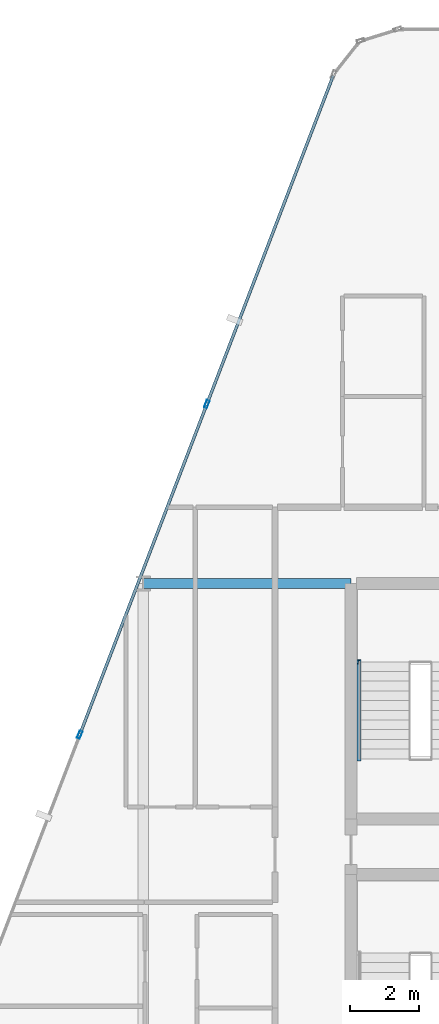
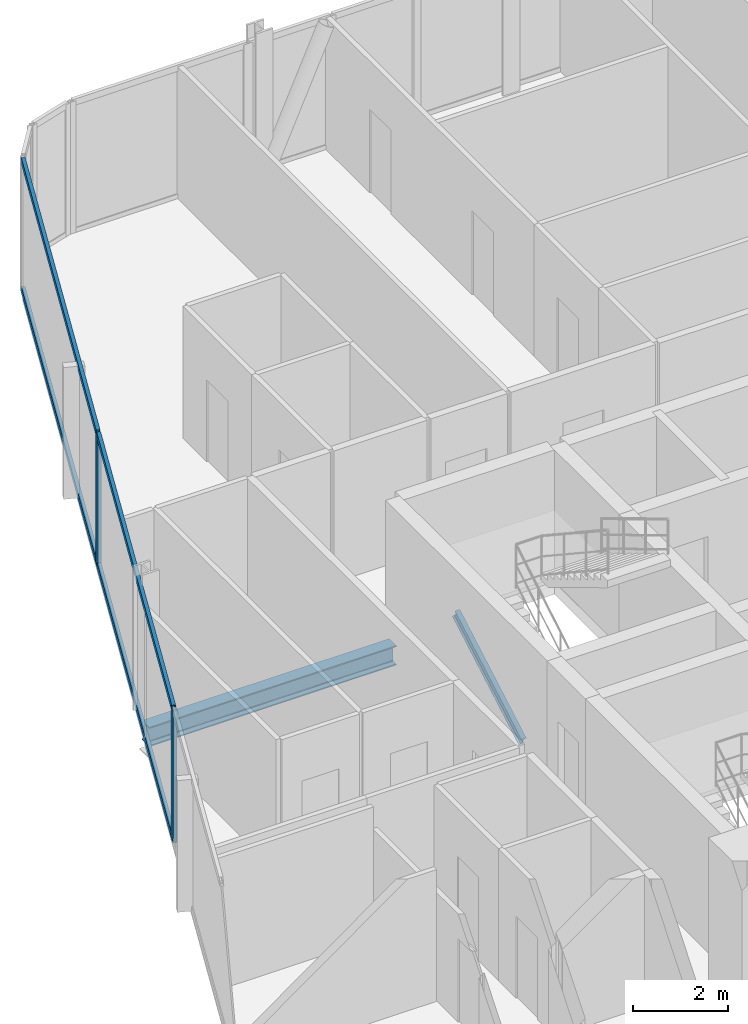
# One storey, part 11 of 35: 7 members, 1 beam, 1 element without a shape of its own.
"""IFC4 building model written with IfcOpenShell, lengths in metres."""

import ifcopenshell
import ifcopenshell.guid

model = None  # the IFC model being written
_history = None  # IfcOwnerHistory: only IFC2X3 demands one
_inside = {}  # id of a spatial element -> (the spatial element, [elements in it])
_under = {}  # id of a project, library or spatial element -> (it, [spatial elements below it])
_declared = {}  # id of a project -> (the project, [libraries it declares])
_typed = {}  # id of a type object -> (the type object, [elements of that type])
_made_of = {}  # id of a material, layer set ... -> (it, [elements and type objects made of it])


def new_model(schema):
    """Start an empty IFC model of exactly this schema.

    Asked for "IFC4X3", IfcOpenShell would pick the latest addendum, in which some entities
    have other attributes; the version numbers below select the first issue.
    IFC2X3 requires an IfcOwnerHistory on every rooted entity: one is made here for all.
    """
    global model, _history
    if schema == "IFC4X3":
        model = ifcopenshell.file(schema_version=(4, 3, 0, 0))
    else:
        model = ifcopenshell.file(schema=schema)
    _inside.clear()
    _under.clear()
    _declared.clear()
    _typed.clear()
    _made_of.clear()
    _history = None
    if model.schema == "IFC2X3":
        org = make("IfcOrganization", Name="unknown")
        user = make(
            "IfcPersonAndOrganization",
            ThePerson=make("IfcPerson", FamilyName="unknown"),
            TheOrganization=org,
        )
        app = make(
            "IfcApplication",
            ApplicationDeveloper=org,
            Version="unknown",
            ApplicationFullName="unknown",
            ApplicationIdentifier="unknown",
        )
        _history = make(
            "IfcOwnerHistory",
            OwningUser=user,
            OwningApplication=app,
            ChangeAction="ADDED",
            CreationDate=0,
        )
    return model


def make(cls, **values):
    """One entity of the class cls with the attributes given. An attribute that is None is left unset."""
    return model.create_entity(
        cls, **{name: value for name, value in values.items() if value is not None}
    )


def rooted(cls, **values):
    """An entity with a GlobalId (a new one), such as an element, a storey or a relation."""
    return make(cls, GlobalId=ifcopenshell.guid.new(), OwnerHistory=_history, **values)


def si_unit(unit_type, name, prefix=None):
    """IfcSIUnit, for example si_unit("LENGTHUNIT", "METRE", prefix="MILLI")."""
    return make("IfcSIUnit", UnitType=unit_type, Prefix=prefix, Name=name)


def assignment(units):
    """IfcUnitAssignment: the units of a project."""
    return None if units is None else make("IfcUnitAssignment", Units=units)


def point(xyz):
    """IfcCartesianPoint."""
    return None if xyz is None else make("IfcCartesianPoint", Coordinates=xyz)


def direction(xyz):
    """IfcDirection."""
    return None if xyz is None else make("IfcDirection", DirectionRatios=xyz)


def frame(location, z_axis=None, x_axis=None):
    """IfcAxis2Placement3D, a coordinate frame: its origin and axes. An axis left out is left unset."""
    return make(
        "IfcAxis2Placement3D",
        Location=point(location),
        Axis=direction(z_axis),
        RefDirection=direction(x_axis),
    )


def frame_2d(location, x_axis=None):
    """IfcAxis2Placement2D, a coordinate frame in the plane: its origin and x axis."""
    return make(
        "IfcAxis2Placement2D", Location=point(location), RefDirection=direction(x_axis)
    )


def origin():
    """The frame at (0, 0, 0) with its axes left unset."""
    return frame((0.0, 0.0, 0.0))


def origin_2d():
    """The frame at (0, 0) in the plane with its x axis left unset."""
    return frame_2d((0.0, 0.0))


def place(relative_to, where):
    """IfcLocalPlacement: puts the frame where relative to a parent placement (None: the world)."""
    return make(
        "IfcLocalPlacement", PlacementRelTo=relative_to, RelativePlacement=where
    )


def context(
    kind, dimensions, precision=None, world=None, true_north=None, identifier=None
):
    """IfcGeometricRepresentationContext, for example the 3D "Model" context."""
    return make(
        "IfcGeometricRepresentationContext",
        ContextIdentifier=identifier,
        ContextType=kind,
        CoordinateSpaceDimension=dimensions,
        Precision=precision,
        WorldCoordinateSystem=world,
        TrueNorth=true_north,
    )


def subcontext(parent, identifier, kind, view, scale=None):
    """IfcGeometricRepresentationSubContext, for example "Body" below "Model"."""
    return make(
        "IfcGeometricRepresentationSubContext",
        ContextIdentifier=identifier,
        ContextType=kind,
        ParentContext=parent,
        TargetScale=scale,
        TargetView=view,
    )


def project(units=None, contexts=None):
    """IfcProject with its units and contexts."""
    return rooted(
        "IfcProject",
        Name="project",
        RepresentationContexts=contexts,
        UnitsInContext=assignment(units),
    )


def spatial(cls, under=None, at=None, **own):
    """A site, building, storey or space (cls), placed at a placement, below another one or the project."""
    s = rooted(cls, ObjectPlacement=at, **own)
    if under is not None:
        _under.setdefault(under.id(), (under, []))[1].append(s)
    return s


def profile(cls, at=None, kind="AREA", **sizes):
    """A parametric profile (cls). Its sizes go by their IFC names, for example OverallWidth=200.0."""
    return make(cls, ProfileType=kind, Position=at, **sizes)


def hollow_rectangle(**sizes):
    """IfcRectangleHollowProfileDef."""
    return profile("IfcRectangleHollowProfileDef", **sizes)


def i_section(**sizes):
    """IfcIShapeProfileDef."""
    return profile("IfcIShapeProfileDef", **sizes)


def extrude(swept, where, along, depth):
    """IfcExtrudedAreaSolid: the profile swept, set in the frame where, extruded along a direction by depth."""
    return make(
        "IfcExtrudedAreaSolid",
        SweptArea=swept,
        Position=where,
        ExtrudedDirection=direction(along),
        Depth=depth,
    )


def shape(context_of_items, identifier, shape_type, items):
    """IfcShapeRepresentation: the items that make up one representation, for example the "Body"."""
    return make(
        "IfcShapeRepresentation",
        ContextOfItems=context_of_items,
        RepresentationIdentifier=identifier,
        RepresentationType=shape_type,
        Items=items,
    )


def material(Name=None, Category=None):
    """IfcMaterial."""
    return make("IfcMaterial", Name=Name, Category=Category)


def layer(
    of_material, thickness, ventilated=None, Name=None, Category=None, Priority=None
):
    """IfcMaterialLayer: one layer of a wall or slab, of a material (None: an air gap)."""
    return make(
        "IfcMaterialLayer",
        Material=of_material,
        LayerThickness=thickness,
        IsVentilated=ventilated,
        Name=Name,
        Category=Category,
        Priority=Priority,
    )


def layer_set(layers, Name=None):
    """IfcMaterialLayerSet."""
    return make("IfcMaterialLayerSet", MaterialLayers=layers, LayerSetName=Name)


def material_profile(
    of_material, cross_section, Name=None, Category=None, Priority=None
):
    """IfcMaterialProfile: a cross section and its material."""
    return make(
        "IfcMaterialProfile",
        Name=Name,
        Material=of_material,
        Profile=cross_section,
        Priority=Priority,
        Category=Category,
    )


def profile_set(profiles, Name=None, composite=None):
    """IfcMaterialProfileSet."""
    return make(
        "IfcMaterialProfileSet",
        Name=Name,
        MaterialProfiles=profiles,
        CompositeProfile=composite,
    )


def made_of(thing, what):
    """Note that an element or type object is made of a material, layer set ...; save() writes the relation."""
    if what is not None:
        _made_of.setdefault(what.id(), (what, []))[1].append(thing)
    return thing


def type_object(cls, material=None, **own):
    """A type object (cls), such as IfcWallType, which elements share."""
    return made_of(rooted(cls, **own), material)


def element(
    cls,
    number,
    at=None,
    inside=None,
    cuts=None,
    type_object=None,
    material=None,
    context=None,
    identifier="Body",
    shape_type=None,
    held_by="IfcProductDefinitionShape",
    body=None,
    shapes=None,
    **own,
):
    """One element of the class cls, such as IfcWall. Its Tag is "e" and its number.

    at: its placement. inside: the storey or other place that contains it. cuts: it is an
    opening in that element (IfcRelVoidsElement). A single representation is given by context,
    identifier, shape_type and body (its items); several are given by shapes. held_by: the class
    of the entity that holds the representations. save() writes the other relations.
    """
    e = rooted(cls, Tag="e%d" % number, ObjectPlacement=at, **own)
    if body is not None:
        shapes = [shape(context, identifier, shape_type, body)]
    if shapes is not None:
        e.Representation = make(held_by, Representations=shapes)
    if inside is not None:
        _inside.setdefault(inside.id(), (inside, []))[1].append(e)
    if cuts is not None:
        rooted(
            "IfcRelVoidsElement", RelatingBuildingElement=cuts, RelatedOpeningElement=e
        )
    if type_object is not None:
        _typed.setdefault(type_object.id(), (type_object, []))[1].append(e)
    return made_of(e, material)


def aggregate(whole, parts):
    """IfcRelAggregates: a whole, such as a stair, and the parts it consists of."""
    return rooted("IfcRelAggregates", RelatingObject=whole, RelatedObjects=parts)


def save(model, path):
    """Write the relations noted so far, then the file.

    IfcRelAggregates (storeys below a building ...), IfcRelContainedInSpatialStructure (elements
    in a storey), IfcRelDefinesByType, IfcRelAssociatesMaterial and IfcRelDeclares: one each for
    every whole, place, type object, material and project.
    """
    for whole, parts in _under.values():
        aggregate(whole, parts)
    for where, things in _inside.values():
        rooted(
            "IfcRelContainedInSpatialStructure",
            RelatedElements=things,
            RelatingStructure=where,
        )
    for kind, things in _typed.values():
        rooted("IfcRelDefinesByType", RelatedObjects=things, RelatingType=kind)
    for what, things in _made_of.values():
        rooted("IfcRelAssociatesMaterial", RelatedObjects=things, RelatingMaterial=what)
    for by, libraries in _declared.values():
        rooted("IfcRelDeclares", RelatingContext=by, RelatedDefinitions=libraries)
    model.write(path)


model = new_model("IFC4")

# Units and contexts
model_context = context("Model", 3, precision=1e-05, world=origin(), true_north=direction((0.0, 1.0)))
body_context = subcontext(model_context, "Body", "Model", "MODEL_VIEW")
ifc_project = project(units=[si_unit("LENGTHUNIT", "METRE"), si_unit("AREAUNIT", "SQUARE_METRE"), si_unit("VOLUMEUNIT", "CUBIC_METRE"), si_unit("PLANEANGLEUNIT", "RADIAN"), si_unit("MASSUNIT", "GRAM", prefix="KILO")], contexts=[model_context])

# Site, building, storey
site_placement = place(None, origin())
site = spatial("IfcSite", under=ifc_project, at=site_placement, CompositionType="ELEMENT")
building_placement = place(site_placement, origin())
building = spatial("IfcBuilding", under=site, at=building_placement, Name="Keshet Zoharim Tower", CompositionType="ELEMENT")
storey_placement = place(building_placement, frame((0.0, 0.0, 24.0)))
storey = spatial("IfcBuildingStorey", under=building, at=storey_placement, Name="L04", CompositionType="ELEMENT", Elevation=24.0)

# Beam
ifc_material_1 = material(Name="Steel S355", Category="steel")
ifc_material_profile_1 = material_profile(ifc_material_1, i_section(OverallWidth=0.300048828125, OverallDepth=0.5, WebThickness=0.014404296875, FlangeThickness=0.028076171875, FilletRadius=0.027099609375, at=origin_2d()), Name="HEB500")
ifc_profile_set_1 = profile_set([ifc_material_profile_1], Name="Steel S355")
beam_type = type_object("IfcBeamType", Name="BM-WEB-HB500", PredefinedType="BEAM", material=ifc_profile_set_1)
beam_placement = place(storey_placement, frame((9.0, 37.89990234375, -0.56494140625), z_axis=(1.0, 0.0, 0.0), x_axis=(0.0, 1.0, 0.0)))
element("IfcBeam", 1, at=beam_placement, inside=storey, type_object=beam_type, Name="L04 Primary Girder X-028", PredefinedType="BEAM", context=body_context, shape_type="SweptSolid", body=[
    extrude(i_section(OverallWidth=0.300048828125, OverallDepth=0.5, WebThickness=0.014404296875, FlangeThickness=0.028076171875, FilletRadius=0.027099609375, at=origin_2d()), origin(), (0.0, 0.0, 1.0), 6.0),
])

# Curtain wall, members
ifc_material_2 = material(Name="Aluminium 6063-T6", Category="aluminium")
ifc_layer = layer(ifc_material_2, 0.179931640625)
ifc_layer_set = layer_set([ifc_layer], Name="Aluminium 6063-T6")
curtain_wall_type = type_object("IfcCurtainWallType", Name="CW-SYS-01", PredefinedType="NOTDEFINED", material=ifc_layer_set)
curtain_wall_placement = place(storey_placement, origin())
curtain_wall = element("IfcCurtainWall", 2, at=curtain_wall_placement, inside=storey, type_object=curtain_wall_type, Name="L04 Unitised Curtain Wall 04", PredefinedType="NOTDEFINED")
ifc_material_profile_2 = material_profile(ifc_material_2, hollow_rectangle(XDim=0.090087890625, YDim=0.219970703125, WallThickness=0.0048828125, at=origin_2d()), Name="MUL-90x220")
ifc_profile_set_2 = profile_set([ifc_material_profile_2], Name="Aluminium 6063-T6")
member_type_1 = type_object("IfcMemberType", Name="CWM-M22", PredefinedType="MULLION", material=ifc_profile_set_2)
member_1_placement = place(storey_placement, frame((7.1669921875, 33.53466796875, 0.0), z_axis=(0.0, 0.0, 1.0), x_axis=(-0.933341404361, 0.358990003907, 0.0)))
member_1 = element("IfcMember", 3, at=member_1_placement, type_object=member_type_1, Name="CW-01 mullion 2", PredefinedType="MULLION", context=body_context, shape_type="SweptSolid", body=[
    extrude(hollow_rectangle(XDim=0.090087890625, YDim=0.219970703125, WallThickness=0.0048828125, at=origin_2d()), origin(), (0.0, 0.0, 1.0), 3.385009765625),
])
member_2_placement = place(storey_placement, frame((10.8369140625, 43.076416015625, 0.0), z_axis=(0.0, 0.0, 1.0), x_axis=(-0.933341404361, 0.358990003907, 0.0)))
member_2 = element("IfcMember", 4, at=member_2_placement, type_object=member_type_1, Name="CW-01 mullion 3", PredefinedType="MULLION", context=body_context, shape_type="SweptSolid", body=[
    extrude(hollow_rectangle(XDim=0.090087890625, YDim=0.219970703125, WallThickness=0.0048828125, at=origin_2d()), origin(), (0.0, 0.0, 1.0), 3.385009765625),
])
ifc_material_profile_3 = material_profile(ifc_material_2, hollow_rectangle(XDim=0.0849609375, YDim=0.159912109375, WallThickness=0.00439453125, at=origin_2d()), Name="TRN-85x160")
ifc_profile_set_3 = profile_set([ifc_material_profile_3], Name="Aluminium 6063-T6")
member_type_2 = type_object("IfcMemberType", Name="CWT-T16", PredefinedType="USERDEFINED", material=ifc_profile_set_3)
member_3_placement = place(storey_placement, frame((7.179443359375, 33.5673828125, 0.034912109375), z_axis=(0.359003248899, 0.933336309848, 0.0), x_axis=(-0.933336309848, 0.359003248899, 0.0)))
member_3 = element("IfcMember", 5, at=member_3_placement, type_object=member_type_2, Name="CW-01 transom 2.1", ObjectType="TRANSOM", PredefinedType="USERDEFINED", context=body_context, shape_type="SweptSolid", body=[
    extrude(hollow_rectangle(XDim=0.0849609375, YDim=0.159912109375, WallThickness=0.00439453125, at=origin_2d()), origin(), (0.0, 0.0, 1.0), 10.153076171875),
])
member_4_placement = place(storey_placement, frame((7.179443359375, 33.5673828125, 3.35009765625), z_axis=(0.359003248899, 0.933336309848, 0.0), x_axis=(-0.933336309848, 0.359003248899, 0.0)))
member_4 = element("IfcMember", 6, at=member_4_placement, type_object=member_type_2, Name="CW-01 transom 2.2", ObjectType="TRANSOM", PredefinedType="USERDEFINED", context=body_context, shape_type="SweptSolid", body=[
    extrude(hollow_rectangle(XDim=0.0849609375, YDim=0.159912109375, WallThickness=0.00439453125, at=origin_2d()), origin(), (0.0, 0.0, 1.0), 10.153076171875),
])
member_5_placement = place(storey_placement, frame((10.849609375, 43.10888671875, 0.034912109375), z_axis=(0.358985546764, 0.933343118694, 0.0), x_axis=(-0.933343118694, 0.358985546764, 0.0)))
member_5 = element("IfcMember", 7, at=member_5_placement, type_object=member_type_2, Name="CW-01 transom 3.1", ObjectType="TRANSOM", PredefinedType="USERDEFINED", context=body_context, shape_type="SweptSolid", body=[
    extrude(hollow_rectangle(XDim=0.0849609375, YDim=0.159912109375, WallThickness=0.00439453125, at=origin_2d()), origin(), (0.0, 0.0, 1.0), 10.118408203125),
])
member_6_placement = place(storey_placement, frame((10.849609375, 43.10888671875, 3.35009765625), z_axis=(0.358985546764, 0.933343118694, 0.0), x_axis=(-0.933343118694, 0.358985546764, 0.0)))
member_6 = element("IfcMember", 8, at=member_6_placement, type_object=member_type_2, Name="CW-01 transom 3.2", ObjectType="TRANSOM", PredefinedType="USERDEFINED", context=body_context, shape_type="SweptSolid", body=[
    extrude(hollow_rectangle(XDim=0.0849609375, YDim=0.159912109375, WallThickness=0.00439453125, at=origin_2d()), origin(), (0.0, 0.0, 1.0), 10.118408203125),
])
aggregate(curtain_wall, [member_1, member_2, member_3, member_4, member_5, member_6])

# Member
ifc_material_profile_4 = material_profile(ifc_material_1, i_section(OverallWidth=0.1201171875, OverallDepth=0.239990234375, WebThickness=0.006103515625, FlangeThickness=0.009765625, FilletRadius=0.014892578125, at=origin_2d()), Name="IPE240")
ifc_profile_set_4 = profile_set([ifc_material_profile_4], Name="Steel S355")
member_type_3 = type_object("IfcMemberType", Name="MB-STRG-IP240", PredefinedType="STRINGER", material=ifc_profile_set_4)
member_7_placement = place(storey_placement, frame((15.22998046875, 32.840087890625, 0.1201171875), z_axis=(0.0, 0.866909569656, 0.498465443174), x_axis=(-1.0, 0.0, 0.0)))
element("IfcMember", 9, at=member_7_placement, inside=storey, type_object=member_type_3, Name="L04 ST-02 Flight Steel Stringer", PredefinedType="STRINGER", context=body_context, shape_type="SweptSolid", body=[
    extrude(i_section(OverallWidth=0.1201171875, OverallDepth=0.239990234375, WebThickness=0.006103515625, FlangeThickness=0.009765625, FilletRadius=0.014892578125, at=origin_2d()), origin(), (0.0, 0.0, 1.0), 3.229736328125),
])

save(model, "model.ifc")
